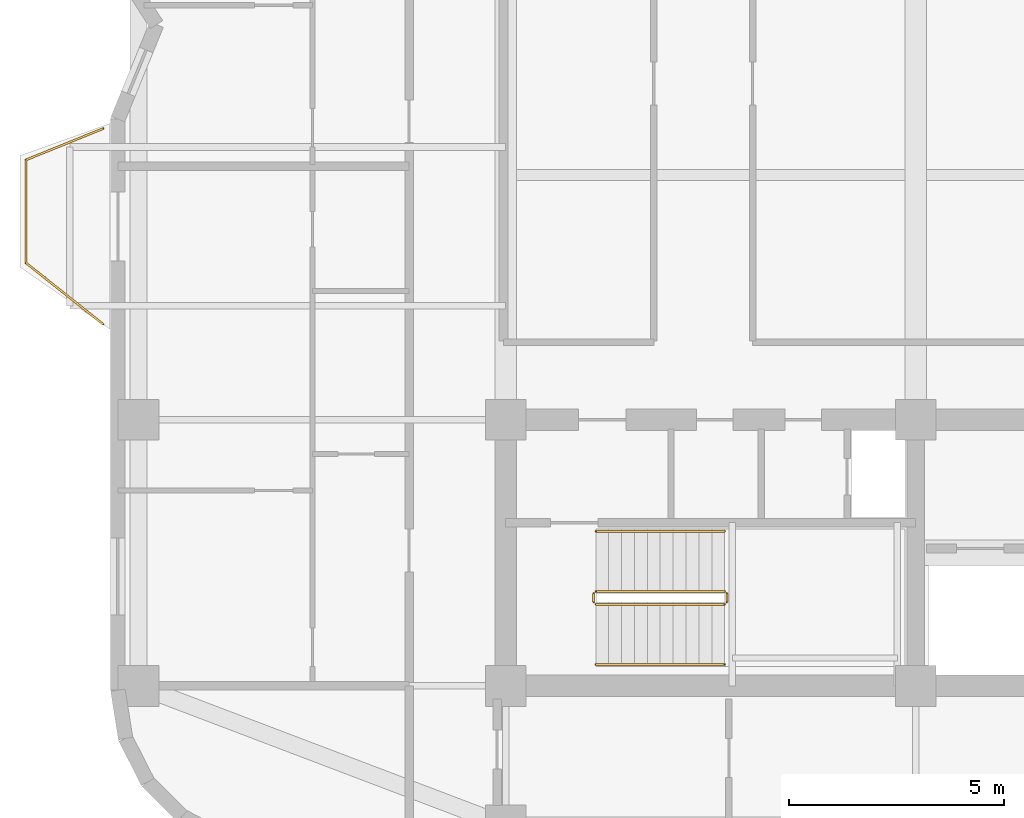
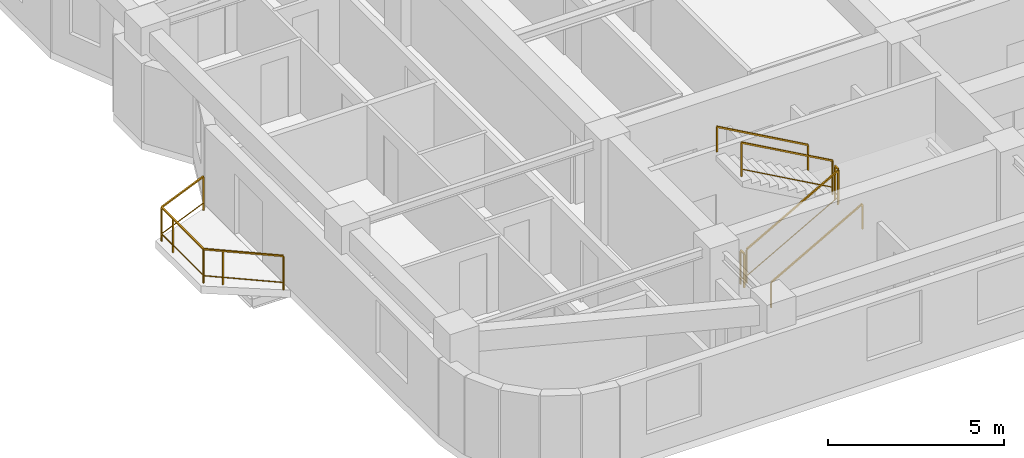
# One storey, part 8 of 9: 7 railings.
"""IFC4 building model written with IfcOpenShell, lengths in metres."""

from ifc_helpers import new_model, si_unit, direction, frame, origin, origin_2d, place, context, subcontext, project, spatial, rectangle, extrude, material, type_object, element, save


model = new_model("IFC4")

# Units and contexts
model_context = context("Model", 3, precision=1e-05, world=origin(), true_north=direction((0.0, 1.0)))
body_context = subcontext(model_context, "Body", "Model", "MODEL_VIEW")
ifc_project = project(units=[si_unit("LENGTHUNIT", "METRE"), si_unit("AREAUNIT", "SQUARE_METRE"), si_unit("VOLUMEUNIT", "CUBIC_METRE"), si_unit("PLANEANGLEUNIT", "RADIAN"), si_unit("MASSUNIT", "GRAM", prefix="KILO")], contexts=[model_context])

# Site, building, storey
site_placement = place(None, origin())
site = spatial("IfcSite", under=ifc_project, at=site_placement, CompositionType="ELEMENT")
building_placement = place(site_placement, origin())
building = spatial("IfcBuilding", under=site, at=building_placement, Name="Svetorya Sky Lyceum", CompositionType="ELEMENT")
storey_placement = place(building_placement, frame((0.0, 0.0, 162.60009765625)))
storey = spatial("IfcBuildingStorey", under=building, at=storey_placement, Name="L40", CompositionType="ELEMENT", Elevation=162.60009765625)

# Railings
ifc_material_1 = material(Name="Laminated safety glass and stainless AISI 316", Category="glass")
railing_type_1 = type_object("IfcRailingType", Name="RL-BAL-1200", PredefinedType="BALUSTRADE", material=ifc_material_1)
railing_1_placement = place(storey_placement, frame((16.22998046875, 19.02001953125, 0.0)))
element("IfcRailing", 1, at=railing_1_placement, inside=storey, type_object=railing_type_1, Name="L40 Balcony Balustrade BAL-W1", PredefinedType="BALUSTRADE", context=body_context, shape_type="SweptSolid", body=[
    extrude(rectangle(XDim=0.048095703125, YDim=0.048095703125, at=origin_2d()), frame((0.0, 0.0, 1.17578125), z_axis=(-0.783008919264, 0.622010476079, 0.0), x_axis=(-0.622010476079, -0.783008919264, 0.0)), (0.0, 0.0, 1.0), 2.298828125),
    extrude(rectangle(XDim=0.02392578125, YDim=0.02392578125, at=origin_2d()), frame((0.0, 0.0, 0.25), z_axis=(-0.783008919264, 0.622010476079, 0.0), x_axis=(-0.622010476079, -0.783008919264, 0.0)), (0.0, 0.0, 1.0), 2.298828125),
    extrude(rectangle(XDim=0.048095703125, YDim=0.048095703125, at=origin_2d()), frame((-1.800048828125, 1.429931640625, 1.17578125), z_axis=(0.0, 1.0, 0.0), x_axis=(-1.0, 0.0, 0.0)), (0.0, 0.0, 1.0), 2.400146484375),
    extrude(rectangle(XDim=0.02392578125, YDim=0.02392578125, at=origin_2d()), frame((-1.800048828125, 1.429931640625, 0.25), z_axis=(0.0, 1.0, 0.0), x_axis=(-1.0, 0.0, 0.0)), (0.0, 0.0, 1.0), 2.400146484375),
    extrude(rectangle(XDim=0.048095703125, YDim=0.048095703125, at=origin_2d()), frame((-1.800048828125, 3.830078125, 1.17578125), z_axis=(0.926697865975, 0.375807218129, 0.0), x_axis=(-0.375807218129, 0.926697865975, 0.0)), (0.0, 0.0, 1.0), 1.9423828125),
    extrude(rectangle(XDim=0.02392578125, YDim=0.02392578125, at=origin_2d()), frame((-1.800048828125, 3.830078125, 0.25), z_axis=(0.926697865975, 0.375807218129, 0.0), x_axis=(-0.375807218129, 0.926697865975, 0.0)), (0.0, 0.0, 1.0), 1.9423828125),
    extrude(rectangle(XDim=0.0419921875, YDim=0.0419921875, at=origin_2d()), origin(), (0.0, 0.0, 1.0), 1.15185546875),
    extrude(rectangle(XDim=0.0419921875, YDim=0.0419921875, at=origin_2d()), frame((-1.370361328125, 1.088623046875, 0.0)), (0.0, 0.0, 1.0), 1.15185546875),
    extrude(rectangle(XDim=0.0419921875, YDim=0.0419921875, at=origin_2d()), frame((-1.800048828125, 1.429931640625, 0.0)), (0.0, 0.0, 1.0), 1.15185546875),
    extrude(rectangle(XDim=0.0419921875, YDim=0.0419921875, at=origin_2d()), frame((-1.800048828125, 3.179931640625, 0.0)), (0.0, 0.0, 1.0), 1.15185546875),
    extrude(rectangle(XDim=0.0419921875, YDim=0.0419921875, at=origin_2d()), frame((-1.800048828125, 3.830078125, 0.0)), (0.0, 0.0, 1.0), 1.15185546875),
    extrude(rectangle(XDim=0.0419921875, YDim=0.0419921875, at=origin_2d()), frame((0.0, 4.56005859375, 0.0)), (0.0, 0.0, 1.0), 1.15185546875),
])
ifc_material_2 = material(Name="Painted galvanized stair well guard")
railing_type_2 = type_object("IfcRailingType", Name="RL-STR-GUARD-1200", PredefinedType="GUARDRAIL", material=ifc_material_2)
railing_2_placement = place(storey_placement, frame((27.699951171875, 12.5, 0.16796875)))
element("IfcRailing", 2, at=railing_2_placement, inside=storey, type_object=railing_type_2, Name="L40 ST-S stair guard 1", PredefinedType="GUARDRAIL", context=body_context, shape_type="SweptSolid", body=[
    extrude(rectangle(XDim=0.048095703125, YDim=0.048095703125, at=origin_2d()), frame((0.0, 0.0, 1.17578125), z_axis=(0.872272294576, 0.0, 0.489020494575), x_axis=(0.0, 1.0, 0.0)), (0.0, 0.0, 1.0), 3.439208984375),
    extrude(rectangle(XDim=0.02392578125, YDim=0.02392578125, at=origin_2d()), frame((0.0, 0.0, 0.25), z_axis=(0.872272294576, 0.0, 0.489020494575), x_axis=(0.0, 1.0, 0.0)), (0.0, 0.0, 1.0), 3.439208984375),
    extrude(rectangle(XDim=0.0419921875, YDim=0.0419921875, at=origin_2d()), origin(), (0.0, 0.0, 1.0), 1.15185546875),
    extrude(rectangle(XDim=0.0419921875, YDim=0.0419921875, at=origin_2d()), frame((3.0, 0.0, 1.681884765625)), (0.0, 0.0, 1.0), 1.15185546875),
])
railing_3_placement = place(storey_placement, frame((30.75, 12.550048828125, 1.849853515625)))
element("IfcRailing", 3, at=railing_3_placement, inside=storey, type_object=railing_type_2, Name="L40 ST-S stair guard 2", PredefinedType="GUARDRAIL", context=body_context, shape_type="SweptSolid", body=[
    extrude(rectangle(XDim=0.048095703125, YDim=0.048095703125, at=origin_2d()), frame((0.0, 0.0, 1.17578125), z_axis=(0.0, 1.0, 0.0), x_axis=(-1.0, 0.0, 0.0)), (0.0, 0.0, 1.0), 0.199951171875),
    extrude(rectangle(XDim=0.02392578125, YDim=0.02392578125, at=origin_2d()), frame((0.0, 0.0, 0.25), z_axis=(0.0, 1.0, 0.0), x_axis=(-1.0, 0.0, 0.0)), (0.0, 0.0, 1.0), 0.199951171875),
    extrude(rectangle(XDim=0.0419921875, YDim=0.0419921875, at=origin_2d()), origin(), (0.0, 0.0, 1.0), 1.15185546875),
    extrude(rectangle(XDim=0.0419921875, YDim=0.0419921875, at=origin_2d()), frame((0.0, 0.199951171875, 0.0)), (0.0, 0.0, 1.0), 1.15185546875),
])
railing_4_placement = place(storey_placement, frame((30.699951171875, 12.800048828125, 2.01806640625)))
element("IfcRailing", 4, at=railing_4_placement, inside=storey, type_object=railing_type_2, Name="L40 ST-S stair guard 3", PredefinedType="GUARDRAIL", context=body_context, shape_type="SweptSolid", body=[
    extrude(rectangle(XDim=0.048095703125, YDim=0.048095703125, at=origin_2d()), frame((0.0, 0.0, 1.17578125), z_axis=(-0.872272294576, 0.0, 0.489020494575), x_axis=(0.0, -1.0, 0.0)), (0.0, 0.0, 1.0), 3.439208984375),
    extrude(rectangle(XDim=0.02392578125, YDim=0.02392578125, at=origin_2d()), frame((0.0, 0.0, 0.25), z_axis=(-0.872272294576, 0.0, 0.489020494575), x_axis=(0.0, -1.0, 0.0)), (0.0, 0.0, 1.0), 3.439208984375),
    extrude(rectangle(XDim=0.0419921875, YDim=0.0419921875, at=origin_2d()), origin(), (0.0, 0.0, 1.0), 1.15185546875),
    extrude(rectangle(XDim=0.0419921875, YDim=0.0419921875, at=origin_2d()), frame((-3.0, 0.0, 1.681884765625)), (0.0, 0.0, 1.0), 1.15185546875),
])
railing_5_placement = place(storey_placement, frame((27.64990234375, 12.550048828125, 0.0)))
element("IfcRailing", 5, at=railing_5_placement, inside=storey, type_object=railing_type_2, Name="L40 ST-S stair guard 4", PredefinedType="GUARDRAIL", context=body_context, shape_type="SweptSolid", body=[
    extrude(rectangle(XDim=0.048095703125, YDim=0.048095703125, at=origin_2d()), frame((0.0, 0.0, 1.17578125), z_axis=(0.0, 1.0, 0.0), x_axis=(-1.0, 0.0, 0.0)), (0.0, 0.0, 1.0), 0.199951171875),
    extrude(rectangle(XDim=0.02392578125, YDim=0.02392578125, at=origin_2d()), frame((0.0, 0.0, 0.25), z_axis=(0.0, 1.0, 0.0), x_axis=(-1.0, 0.0, 0.0)), (0.0, 0.0, 1.0), 0.199951171875),
    extrude(rectangle(XDim=0.0419921875, YDim=0.0419921875, at=origin_2d()), origin(), (0.0, 0.0, 1.0), 1.15185546875),
    extrude(rectangle(XDim=0.0419921875, YDim=0.0419921875, at=origin_2d()), frame((0.0, 0.199951171875, 0.0)), (0.0, 0.0, 1.0), 1.15185546875),
])
ifc_material_3 = material(Name="Brushed stainless AISI 304 stair handrail")
railing_type_3 = type_object("IfcRailingType", Name="RL-STR-HAND-920", PredefinedType="HANDRAIL", material=ifc_material_3)
railing_6_placement = place(storey_placement, frame((27.699951171875, 11.10009765625, 0.16796875)))
element("IfcRailing", 6, at=railing_6_placement, inside=storey, type_object=railing_type_3, Name="L40 ST-S stair handrail 1", PredefinedType="HANDRAIL", context=body_context, shape_type="SweptSolid", body=[
    extrude(rectangle(XDim=0.048095703125, YDim=0.048095703125, at=origin_2d()), frame((0.0, 0.0, 0.8759765625), z_axis=(0.872272294576, 0.0, 0.489020494575), x_axis=(0.0, 1.0, 0.0)), (0.0, 0.0, 1.0), 3.439208984375),
    extrude(rectangle(XDim=0.0419921875, YDim=0.0419921875, at=origin_2d()), origin(), (0.0, 0.0, 1.0), 0.851806640625),
    extrude(rectangle(XDim=0.0419921875, YDim=0.0419921875, at=origin_2d()), frame((3.0, 0.0, 1.681884765625)), (0.0, 0.0, 1.0), 0.851806640625),
])
railing_7_placement = place(storey_placement, frame((30.699951171875, 14.199951171875, 2.01806640625)))
element("IfcRailing", 7, at=railing_7_placement, inside=storey, type_object=railing_type_3, Name="L40 ST-S stair handrail 2", PredefinedType="HANDRAIL", context=body_context, shape_type="SweptSolid", body=[
    extrude(rectangle(XDim=0.048095703125, YDim=0.048095703125, at=origin_2d()), frame((0.0, 0.0, 0.8759765625), z_axis=(-0.872272294576, 0.0, 0.489020494575), x_axis=(0.0, -1.0, 0.0)), (0.0, 0.0, 1.0), 3.439208984375),
    extrude(rectangle(XDim=0.0419921875, YDim=0.0419921875, at=origin_2d()), origin(), (0.0, 0.0, 1.0), 0.851806640625),
    extrude(rectangle(XDim=0.0419921875, YDim=0.0419921875, at=origin_2d()), frame((-3.0, 0.0, 1.681884765625)), (0.0, 0.0, 1.0), 0.851806640625),
])

save(model, "model.ifc")
